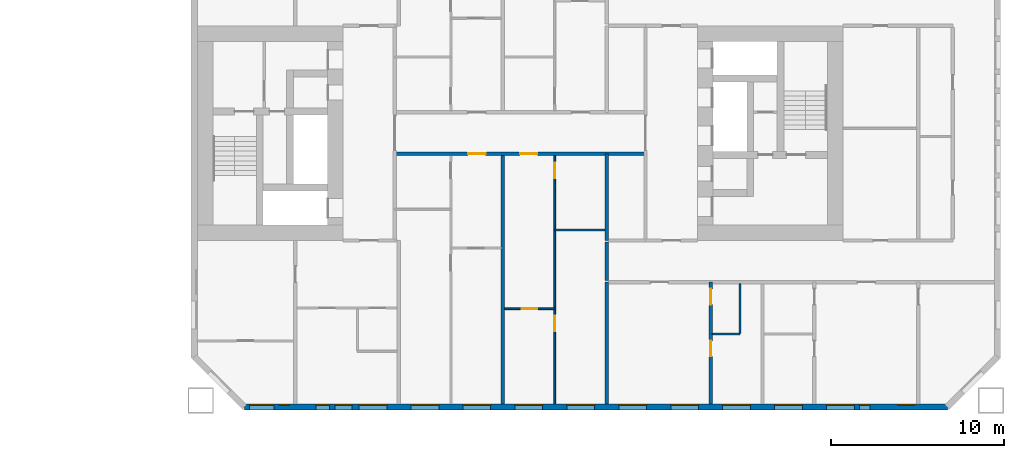
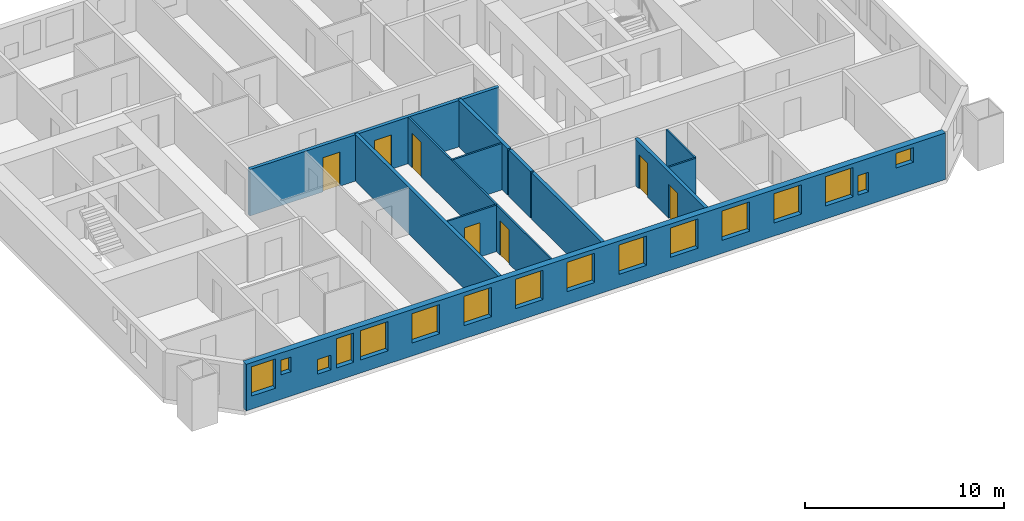
# One storey, part 11 of 17: 16 windows, 12 walls, 7 doors, 23 openings.
"""IFC4 building model written with IfcOpenShell, lengths in metres."""

from ifc_helpers import new_model, si_unit, direction, frame, frame_2d, origin, place, context, subcontext, project, spatial, rectangle, extrude, material, layer, layer_set, type_object, element, fill, save


model = new_model("IFC4")

# Units and contexts
model_context = context("Model", 3, precision=1e-05, world=origin(), true_north=direction((0.0, 1.0)))
body_context = subcontext(model_context, "Body", "Model", "MODEL_VIEW")
ifc_project = project(units=[si_unit("LENGTHUNIT", "METRE"), si_unit("AREAUNIT", "SQUARE_METRE"), si_unit("VOLUMEUNIT", "CUBIC_METRE"), si_unit("PLANEANGLEUNIT", "RADIAN"), si_unit("MASSUNIT", "GRAM", prefix="KILO")], contexts=[model_context])

# Site, building, storey
site_placement = place(None, origin())
site = spatial("IfcSite", under=ifc_project, at=site_placement, CompositionType="ELEMENT")
building_placement = place(site_placement, origin())
building = spatial("IfcBuilding", under=site, at=building_placement, Name="Tuart Gate Housing", CompositionType="ELEMENT")
storey_placement = place(building_placement, frame((0.0, 0.0, 22.60009765625)))
storey = spatial("IfcBuildingStorey", under=building, at=storey_placement, Name="L05", CompositionType="ELEMENT", Elevation=22.60009765625)

# Wall, openings, windows
ifc_material_1 = material(Name="Brick", Category="masonry")
ifc_layer_1 = layer(ifc_material_1, 0.360107421875)
ifc_layer_set_1 = layer_set([ifc_layer_1], Name="Brick pier and spandrel wall 360")
wall_type_1 = type_object("IfcWallType", Name="Brick pier and spandrel wall 360", PredefinedType="STANDARD", material=ifc_layer_set_1)
wall_1_placement = place(storey_placement, frame((134.07470703125, 54.179931640625, 0.0), z_axis=(0.0, 0.0, 1.0), x_axis=(1.0, 0.0, 0.0)))
wall_1 = element("IfcWall", 1, at=wall_1_placement, inside=storey, type_object=wall_type_1, Name="External wall B-S L05", PredefinedType="STANDARD", context=body_context, shape_type="SweptSolid", body=[
    extrude(rectangle(XDim=40.600830078125, YDim=0.360107421875, at=frame_2d((20.30029296875, 0.0))), origin(), (0.0, 0.0, 1.0), 2.849853515625),
])
opening_1_placement = place(wall_1_placement, frame((0.300048828125, 0.0, 0.800048828125)))
opening_1 = element("IfcOpeningElement", 2, at=opening_1_placement, cuts=wall_1, Name="Opening W1A", PredefinedType="OPENING", context=body_context, shape_type="SweptSolid", body=[
    extrude(rectangle(XDim=1.39990234375, YDim=1.800048828125, at=frame_2d((0.699951171875, 0.89990234375))), frame((0.0, 0.18994140625, 0.0), z_axis=(0.0, -1.0, 0.0), x_axis=(1.0, 0.0, 0.0)), (0.0, 0.0, 1.0), 0.380126953125),
])
opening_2_placement = place(wall_1_placement, frame((4.12548828125, 0.0, 0.800048828125)))
opening_2 = element("IfcOpeningElement", 3, at=opening_2_placement, cuts=wall_1, Name="Opening W1V", PredefinedType="OPENING", context=body_context, shape_type="SweptSolid", body=[
    extrude(rectangle(XDim=0.800048828125, YDim=0.89990234375, at=frame_2d((0.39990234375, 0.449951171875))), frame((0.0, 0.18994140625, 0.0), z_axis=(0.0, -1.0, 0.0), x_axis=(1.0, 0.0, 0.0)), (0.0, 0.0, 1.0), 0.380126953125),
])
opening_3_placement = place(wall_1_placement, frame((6.62548828125, 0.0, 0.800048828125)))
opening_3 = element("IfcOpeningElement", 4, at=opening_3_placement, cuts=wall_1, Name="Opening W1", PredefinedType="OPENING", context=body_context, shape_type="SweptSolid", body=[
    extrude(rectangle(XDim=1.60009765625, YDim=1.800048828125, at=frame_2d((0.800048828125, 0.89990234375))), frame((0.0, 0.18994140625, 0.0), z_axis=(0.0, -1.0, 0.0), x_axis=(1.0, 0.0, 0.0)), (0.0, 0.0, 1.0), 0.380126953125),
])
opening_4_placement = place(wall_1_placement, frame((9.62548828125, 0.0, 0.800048828125)))
opening_4 = element("IfcOpeningElement", 5, at=opening_4_placement, cuts=wall_1, Name="Opening W1", PredefinedType="OPENING", context=body_context, shape_type="SweptSolid", body=[
    extrude(rectangle(XDim=1.60009765625, YDim=1.800048828125, at=frame_2d((0.800048828125, 0.89990234375))), frame((0.0, 0.18994140625, 0.0), z_axis=(0.0, -1.0, 0.0), x_axis=(1.0, 0.0, 0.0)), (0.0, 0.0, 1.0), 0.380126953125),
])
opening_5_placement = place(wall_1_placement, frame((12.62548828125, 0.0, 0.800048828125)))
opening_5 = element("IfcOpeningElement", 6, at=opening_5_placement, cuts=wall_1, Name="Opening W1", PredefinedType="OPENING", context=body_context, shape_type="SweptSolid", body=[
    extrude(rectangle(XDim=1.60009765625, YDim=1.800048828125, at=frame_2d((0.800048828125, 0.89990234375))), frame((0.0, 0.18994140625, 0.0), z_axis=(0.0, -1.0, 0.0), x_axis=(1.0, 0.0, 0.0)), (0.0, 0.0, 1.0), 0.380126953125),
])
opening_6_placement = place(wall_1_placement, frame((15.62548828125, 0.0, 0.800048828125)))
opening_6 = element("IfcOpeningElement", 7, at=opening_6_placement, cuts=wall_1, Name="Opening W1", PredefinedType="OPENING", context=body_context, shape_type="SweptSolid", body=[
    extrude(rectangle(XDim=1.60009765625, YDim=1.800048828125, at=frame_2d((0.800048828125, 0.89990234375))), frame((0.0, 0.18994140625, 0.0), z_axis=(0.0, -1.0, 0.0), x_axis=(1.0, 0.0, 0.0)), (0.0, 0.0, 1.0), 0.380126953125),
])
opening_7_placement = place(wall_1_placement, frame((18.62548828125, 0.0, 0.800048828125)))
opening_7 = element("IfcOpeningElement", 8, at=opening_7_placement, cuts=wall_1, Name="Opening W1", PredefinedType="OPENING", context=body_context, shape_type="SweptSolid", body=[
    extrude(rectangle(XDim=1.60009765625, YDim=1.800048828125, at=frame_2d((0.800048828125, 0.89990234375))), frame((0.0, 0.18994140625, 0.0), z_axis=(0.0, -1.0, 0.0), x_axis=(1.0, 0.0, 0.0)), (0.0, 0.0, 1.0), 0.380126953125),
])
opening_8_placement = place(wall_1_placement, frame((21.62548828125, 0.0, 0.800048828125)))
opening_8 = element("IfcOpeningElement", 9, at=opening_8_placement, cuts=wall_1, Name="Opening W1", PredefinedType="OPENING", context=body_context, shape_type="SweptSolid", body=[
    extrude(rectangle(XDim=1.60009765625, YDim=1.800048828125, at=frame_2d((0.800048828125, 0.89990234375))), frame((0.0, 0.18994140625, 0.0), z_axis=(0.0, -1.0, 0.0), x_axis=(1.0, 0.0, 0.0)), (0.0, 0.0, 1.0), 0.380126953125),
])
opening_9_placement = place(wall_1_placement, frame((24.62548828125, 0.0, 0.800048828125)))
opening_9 = element("IfcOpeningElement", 10, at=opening_9_placement, cuts=wall_1, Name="Opening W1", PredefinedType="OPENING", context=body_context, shape_type="SweptSolid", body=[
    extrude(rectangle(XDim=1.60009765625, YDim=1.800048828125, at=frame_2d((0.800048828125, 0.89990234375))), frame((0.0, 0.18994140625, 0.0), z_axis=(0.0, -1.0, 0.0), x_axis=(1.0, 0.0, 0.0)), (0.0, 0.0, 1.0), 0.380126953125),
])
opening_10_placement = place(wall_1_placement, frame((27.62548828125, 0.0, 0.800048828125)))
opening_10 = element("IfcOpeningElement", 11, at=opening_10_placement, cuts=wall_1, Name="Opening W1", PredefinedType="OPENING", context=body_context, shape_type="SweptSolid", body=[
    extrude(rectangle(XDim=1.60009765625, YDim=1.800048828125, at=frame_2d((0.800048828125, 0.89990234375))), frame((0.0, 0.18994140625, 0.0), z_axis=(0.0, -1.0, 0.0), x_axis=(1.0, 0.0, 0.0)), (0.0, 0.0, 1.0), 0.380126953125),
])
opening_11_placement = place(wall_1_placement, frame((30.62548828125, 0.0, 0.800048828125)))
opening_11 = element("IfcOpeningElement", 12, at=opening_11_placement, cuts=wall_1, Name="Opening W1", PredefinedType="OPENING", context=body_context, shape_type="SweptSolid", body=[
    extrude(rectangle(XDim=1.60009765625, YDim=1.800048828125, at=frame_2d((0.800048828125, 0.89990234375))), frame((0.0, 0.18994140625, 0.0), z_axis=(0.0, -1.0, 0.0), x_axis=(1.0, 0.0, 0.0)), (0.0, 0.0, 1.0), 0.380126953125),
])
opening_12_placement = place(wall_1_placement, frame((33.62548828125, 0.0, 0.800048828125)))
opening_12 = element("IfcOpeningElement", 13, at=opening_12_placement, cuts=wall_1, Name="Opening W1", PredefinedType="OPENING", context=body_context, shape_type="SweptSolid", body=[
    extrude(rectangle(XDim=1.60009765625, YDim=1.800048828125, at=frame_2d((0.800048828125, 0.89990234375))), frame((0.0, 0.18994140625, 0.0), z_axis=(0.0, -1.0, 0.0), x_axis=(1.0, 0.0, 0.0)), (0.0, 0.0, 1.0), 0.380126953125),
])
opening_13_placement = place(wall_1_placement, frame((35.525390625, 0.0, 0.800048828125)))
opening_13 = element("IfcOpeningElement", 14, at=opening_13_placement, cuts=wall_1, Name="Opening W1Q", PredefinedType="OPENING", context=body_context, shape_type="SweptSolid", body=[
    extrude(rectangle(XDim=0.60009765625, YDim=1.199951171875, at=frame_2d((0.300048828125, 0.60009765625))), frame((0.0, 0.18994140625, 0.0), z_axis=(0.0, -1.0, 0.0), x_axis=(1.0, 0.0, 0.0)), (0.0, 0.0, 1.0), 0.380126953125),
])
opening_14_placement = place(wall_1_placement, frame((2.0, 0.0, 1.5)))
opening_14 = element("IfcOpeningElement", 15, at=opening_14_placement, cuts=wall_1, Name="Opening W1W", PredefinedType="OPENING", context=body_context, shape_type="SweptSolid", body=[
    extrude(rectangle(XDim=0.60009765625, YDim=0.89990234375, at=frame_2d((0.300048828125, 0.449951171875))), frame((0.0, 0.18994140625, 0.0), z_axis=(0.0, -1.0, 0.0), x_axis=(1.0, 0.0, 0.0)), (0.0, 0.0, 1.0), 0.380126953125),
])
opening_15_placement = place(wall_1_placement, frame((5.225341796875, 0.0, 0.800048828125)))
opening_15 = element("IfcOpeningElement", 16, at=opening_15_placement, cuts=wall_1, Name="Opening W1C", PredefinedType="OPENING", context=body_context, shape_type="SweptSolid", body=[
    extrude(rectangle(XDim=1.0, YDim=1.800048828125, at=frame_2d((0.5, 0.89990234375))), frame((0.0, 0.18994140625, 0.0), z_axis=(0.0, -1.0, 0.0), x_axis=(1.0, 0.0, 0.0)), (0.0, 0.0, 1.0), 0.380126953125),
])
opening_16_placement = place(wall_1_placement, frame((37.725341796875, 0.0, 1.699951171875)))
opening_16 = element("IfcOpeningElement", 17, at=opening_16_placement, cuts=wall_1, Name="Opening W1U", PredefinedType="OPENING", context=body_context, shape_type="SweptSolid", body=[
    extrude(rectangle(XDim=1.0, YDim=0.89990234375, at=frame_2d((0.5, 0.449951171875))), frame((0.0, 0.18994140625, 0.0), z_axis=(0.0, -1.0, 0.0), x_axis=(1.0, 0.0, 0.0)), (0.0, 0.0, 1.0), 0.380126953125),
])
ifc_material_2 = material(Name="Aluminium frame with clear glass", Category="aluminium")
window_type_1 = type_object("IfcWindowType", Name="Punched window 1000 x 1800", PartitioningType="SINGLE_PANEL", PredefinedType="WINDOW", material=ifc_material_2)
window_1_placement = place(opening_15_placement, origin())
window_1 = element("IfcWindow", 18, at=window_1_placement, inside=storey, type_object=window_type_1, Name="Window W1C", OverallHeight=1.800048828125, OverallWidth=1.0, PartitioningType="SINGLE_PANEL", PredefinedType="WINDOW", context=body_context, shape_type="SweptSolid", body=[
    extrude(rectangle(XDim=1.0, YDim=1.800048828125, at=frame_2d((0.5, 0.89990234375))), frame((0.0, 0.150146484375, 0.0), z_axis=(0.0, -1.0, 0.0), x_axis=(1.0, 0.0, 0.0)), (0.0, 0.0, 1.0), 0.06005859375),
])
fill(opening_15, window_1)
ifc_material_3 = material(Name="Aluminium frame with clear glass", Category="aluminium")
window_type_2 = type_object("IfcWindowType", Name="Punched window 1000 x 900", PartitioningType="SINGLE_PANEL", PredefinedType="WINDOW", material=ifc_material_3)
window_2_placement = place(opening_16_placement, origin())
window_2 = element("IfcWindow", 19, at=window_2_placement, inside=storey, type_object=window_type_2, Name="Window W1U", OverallHeight=0.89990234375, OverallWidth=1.0, PartitioningType="SINGLE_PANEL", PredefinedType="WINDOW", context=body_context, shape_type="SweptSolid", body=[
    extrude(rectangle(XDim=1.0, YDim=0.89990234375, at=frame_2d((0.5, 0.449951171875))), frame((0.0, 0.150146484375, 0.0), z_axis=(0.0, -1.0, 0.0), x_axis=(1.0, 0.0, 0.0)), (0.0, 0.0, 1.0), 0.06005859375),
])
fill(opening_16, window_2)
ifc_material_4 = material(Name="Aluminium frame with clear glass", Category="aluminium")
window_type_3 = type_object("IfcWindowType", Name="Punched window 1400 x 1800", PartitioningType="SINGLE_PANEL", PredefinedType="WINDOW", material=ifc_material_4)
window_3_placement = place(opening_1_placement, origin())
window_3 = element("IfcWindow", 20, at=window_3_placement, inside=storey, type_object=window_type_3, Name="Window W1A", OverallHeight=1.800048828125, OverallWidth=1.39990234375, PartitioningType="SINGLE_PANEL", PredefinedType="WINDOW", context=body_context, shape_type="SweptSolid", body=[
    extrude(rectangle(XDim=1.39990234375, YDim=1.800048828125, at=frame_2d((0.699951171875, 0.89990234375))), frame((0.0, 0.150146484375, 0.0), z_axis=(0.0, -1.0, 0.0), x_axis=(1.0, 0.0, 0.0)), (0.0, 0.0, 1.0), 0.06005859375),
])
fill(opening_1, window_3)
ifc_material_5 = material(Name="Aluminium frame with clear glass", Category="aluminium")
window_type_4 = type_object("IfcWindowType", Name="Punched window 1600 x 1800", PartitioningType="SINGLE_PANEL", PredefinedType="WINDOW", material=ifc_material_5)
window_4_placement = place(opening_3_placement, origin())
window_4 = element("IfcWindow", 21, at=window_4_placement, inside=storey, type_object=window_type_4, Name="Window W1", OverallHeight=1.800048828125, OverallWidth=1.60009765625, PartitioningType="SINGLE_PANEL", PredefinedType="WINDOW", context=body_context, shape_type="SweptSolid", body=[
    extrude(rectangle(XDim=1.60009765625, YDim=1.800048828125, at=frame_2d((0.800048828125, 0.89990234375))), frame((0.0, 0.150146484375, 0.0), z_axis=(0.0, -1.0, 0.0), x_axis=(1.0, 0.0, 0.0)), (0.0, 0.0, 1.0), 0.06005859375),
])
fill(opening_3, window_4)
window_5_placement = place(opening_4_placement, origin())
window_5 = element("IfcWindow", 22, at=window_5_placement, inside=storey, type_object=window_type_4, Name="Window W1", OverallHeight=1.800048828125, OverallWidth=1.60009765625, PartitioningType="SINGLE_PANEL", PredefinedType="WINDOW", context=body_context, shape_type="SweptSolid", body=[
    extrude(rectangle(XDim=1.60009765625, YDim=1.800048828125, at=frame_2d((0.800048828125, 0.89990234375))), frame((0.0, 0.150146484375, 0.0), z_axis=(0.0, -1.0, 0.0), x_axis=(1.0, 0.0, 0.0)), (0.0, 0.0, 1.0), 0.06005859375),
])
fill(opening_4, window_5)
window_6_placement = place(opening_5_placement, origin())
window_6 = element("IfcWindow", 23, at=window_6_placement, inside=storey, type_object=window_type_4, Name="Window W1", OverallHeight=1.800048828125, OverallWidth=1.60009765625, PartitioningType="SINGLE_PANEL", PredefinedType="WINDOW", context=body_context, shape_type="SweptSolid", body=[
    extrude(rectangle(XDim=1.60009765625, YDim=1.800048828125, at=frame_2d((0.800048828125, 0.89990234375))), frame((0.0, 0.150146484375, 0.0), z_axis=(0.0, -1.0, 0.0), x_axis=(1.0, 0.0, 0.0)), (0.0, 0.0, 1.0), 0.06005859375),
])
fill(opening_5, window_6)
window_7_placement = place(opening_6_placement, origin())
window_7 = element("IfcWindow", 24, at=window_7_placement, inside=storey, type_object=window_type_4, Name="Window W1", OverallHeight=1.800048828125, OverallWidth=1.60009765625, PartitioningType="SINGLE_PANEL", PredefinedType="WINDOW", context=body_context, shape_type="SweptSolid", body=[
    extrude(rectangle(XDim=1.60009765625, YDim=1.800048828125, at=frame_2d((0.800048828125, 0.89990234375))), frame((0.0, 0.150146484375, 0.0), z_axis=(0.0, -1.0, 0.0), x_axis=(1.0, 0.0, 0.0)), (0.0, 0.0, 1.0), 0.06005859375),
])
fill(opening_6, window_7)
window_8_placement = place(opening_7_placement, origin())
window_8 = element("IfcWindow", 25, at=window_8_placement, inside=storey, type_object=window_type_4, Name="Window W1", OverallHeight=1.800048828125, OverallWidth=1.60009765625, PartitioningType="SINGLE_PANEL", PredefinedType="WINDOW", context=body_context, shape_type="SweptSolid", body=[
    extrude(rectangle(XDim=1.60009765625, YDim=1.800048828125, at=frame_2d((0.800048828125, 0.89990234375))), frame((0.0, 0.150146484375, 0.0), z_axis=(0.0, -1.0, 0.0), x_axis=(1.0, 0.0, 0.0)), (0.0, 0.0, 1.0), 0.06005859375),
])
fill(opening_7, window_8)
window_9_placement = place(opening_8_placement, origin())
window_9 = element("IfcWindow", 26, at=window_9_placement, inside=storey, type_object=window_type_4, Name="Window W1", OverallHeight=1.800048828125, OverallWidth=1.60009765625, PartitioningType="SINGLE_PANEL", PredefinedType="WINDOW", context=body_context, shape_type="SweptSolid", body=[
    extrude(rectangle(XDim=1.60009765625, YDim=1.800048828125, at=frame_2d((0.800048828125, 0.89990234375))), frame((0.0, 0.150146484375, 0.0), z_axis=(0.0, -1.0, 0.0), x_axis=(1.0, 0.0, 0.0)), (0.0, 0.0, 1.0), 0.06005859375),
])
fill(opening_8, window_9)
window_10_placement = place(opening_9_placement, origin())
window_10 = element("IfcWindow", 27, at=window_10_placement, inside=storey, type_object=window_type_4, Name="Window W1", OverallHeight=1.800048828125, OverallWidth=1.60009765625, PartitioningType="SINGLE_PANEL", PredefinedType="WINDOW", context=body_context, shape_type="SweptSolid", body=[
    extrude(rectangle(XDim=1.60009765625, YDim=1.800048828125, at=frame_2d((0.800048828125, 0.89990234375))), frame((0.0, 0.150146484375, 0.0), z_axis=(0.0, -1.0, 0.0), x_axis=(1.0, 0.0, 0.0)), (0.0, 0.0, 1.0), 0.06005859375),
])
fill(opening_9, window_10)
window_11_placement = place(opening_10_placement, origin())
window_11 = element("IfcWindow", 28, at=window_11_placement, inside=storey, type_object=window_type_4, Name="Window W1", OverallHeight=1.800048828125, OverallWidth=1.60009765625, PartitioningType="SINGLE_PANEL", PredefinedType="WINDOW", context=body_context, shape_type="SweptSolid", body=[
    extrude(rectangle(XDim=1.60009765625, YDim=1.800048828125, at=frame_2d((0.800048828125, 0.89990234375))), frame((0.0, 0.150146484375, 0.0), z_axis=(0.0, -1.0, 0.0), x_axis=(1.0, 0.0, 0.0)), (0.0, 0.0, 1.0), 0.06005859375),
])
fill(opening_10, window_11)
window_12_placement = place(opening_11_placement, origin())
window_12 = element("IfcWindow", 29, at=window_12_placement, inside=storey, type_object=window_type_4, Name="Window W1", OverallHeight=1.800048828125, OverallWidth=1.60009765625, PartitioningType="SINGLE_PANEL", PredefinedType="WINDOW", context=body_context, shape_type="SweptSolid", body=[
    extrude(rectangle(XDim=1.60009765625, YDim=1.800048828125, at=frame_2d((0.800048828125, 0.89990234375))), frame((0.0, 0.150146484375, 0.0), z_axis=(0.0, -1.0, 0.0), x_axis=(1.0, 0.0, 0.0)), (0.0, 0.0, 1.0), 0.06005859375),
])
fill(opening_11, window_12)
window_13_placement = place(opening_12_placement, origin())
window_13 = element("IfcWindow", 30, at=window_13_placement, inside=storey, type_object=window_type_4, Name="Window W1", OverallHeight=1.800048828125, OverallWidth=1.60009765625, PartitioningType="SINGLE_PANEL", PredefinedType="WINDOW", context=body_context, shape_type="SweptSolid", body=[
    extrude(rectangle(XDim=1.60009765625, YDim=1.800048828125, at=frame_2d((0.800048828125, 0.89990234375))), frame((0.0, 0.150146484375, 0.0), z_axis=(0.0, -1.0, 0.0), x_axis=(1.0, 0.0, 0.0)), (0.0, 0.0, 1.0), 0.06005859375),
])
fill(opening_12, window_13)
ifc_material_6 = material(Name="Aluminium frame with clear glass", Category="aluminium")
window_type_5 = type_object("IfcWindowType", Name="Punched window 600 x 1200", PartitioningType="SINGLE_PANEL", PredefinedType="WINDOW", material=ifc_material_6)
window_14_placement = place(opening_13_placement, origin())
window_14 = element("IfcWindow", 31, at=window_14_placement, inside=storey, type_object=window_type_5, Name="Window W1Q", OverallHeight=1.199951171875, OverallWidth=0.60009765625, PartitioningType="SINGLE_PANEL", PredefinedType="WINDOW", context=body_context, shape_type="SweptSolid", body=[
    extrude(rectangle(XDim=0.60009765625, YDim=1.199951171875, at=frame_2d((0.300048828125, 0.60009765625))), frame((0.0, 0.150146484375, 0.0), z_axis=(0.0, -1.0, 0.0), x_axis=(1.0, 0.0, 0.0)), (0.0, 0.0, 1.0), 0.06005859375),
])
fill(opening_13, window_14)
ifc_material_7 = material(Name="Aluminium frame with clear glass", Category="aluminium")
window_type_6 = type_object("IfcWindowType", Name="Punched window 600 x 900", PartitioningType="SINGLE_PANEL", PredefinedType="WINDOW", material=ifc_material_7)
window_15_placement = place(opening_14_placement, origin())
window_15 = element("IfcWindow", 32, at=window_15_placement, inside=storey, type_object=window_type_6, Name="Window W1W", OverallHeight=0.89990234375, OverallWidth=0.60009765625, PartitioningType="SINGLE_PANEL", PredefinedType="WINDOW", context=body_context, shape_type="SweptSolid", body=[
    extrude(rectangle(XDim=0.60009765625, YDim=0.89990234375, at=frame_2d((0.300048828125, 0.449951171875))), frame((0.0, 0.150146484375, 0.0), z_axis=(0.0, -1.0, 0.0), x_axis=(1.0, 0.0, 0.0)), (0.0, 0.0, 1.0), 0.06005859375),
])
fill(opening_14, window_15)
ifc_material_8 = material(Name="Aluminium frame with clear glass", Category="aluminium")
window_type_7 = type_object("IfcWindowType", Name="Punched window 800 x 900", PartitioningType="SINGLE_PANEL", PredefinedType="WINDOW", material=ifc_material_8)
window_16_placement = place(opening_2_placement, origin())
window_16 = element("IfcWindow", 33, at=window_16_placement, inside=storey, type_object=window_type_7, Name="Window W1V", OverallHeight=0.89990234375, OverallWidth=0.800048828125, PartitioningType="SINGLE_PANEL", PredefinedType="WINDOW", context=body_context, shape_type="SweptSolid", body=[
    extrude(rectangle(XDim=0.800048828125, YDim=0.89990234375, at=frame_2d((0.39990234375, 0.449951171875))), frame((0.0, 0.150146484375, 0.0), z_axis=(0.0, -1.0, 0.0), x_axis=(1.0, 0.0, 0.0)), (0.0, 0.0, 1.0), 0.06005859375),
])
fill(opening_2, window_16)

# Wall, openings, doors
ifc_material_9 = material(Name="Concrete masonry 15 MPa", Category="masonry")
ifc_layer_2 = layer(ifc_material_9, 0.199951171875)
ifc_layer_set_2 = layer_set([ifc_layer_2], Name="Corridor wall masonry 200")
wall_type_2 = type_object("IfcWallType", Name="Corridor wall masonry 200", PredefinedType="PARTITIONING", material=ifc_layer_set_2)
wall_2_placement = place(storey_placement, frame((142.760009765625, 68.800048828125, 0.0), z_axis=(0.0, 0.0, 1.0), x_axis=(1.0, 0.0, 0.0)))
wall_2 = element("IfcWall", 34, at=wall_2_placement, inside=storey, type_object=wall_type_2, Name="Corridor wall masonry 200", PredefinedType="PARTITIONING", context=body_context, shape_type="SweptSolid", body=[
    extrude(rectangle(XDim=14.47998046875, YDim=0.199951171875, at=frame_2d((7.239990234375, 0.0))), origin(), (0.0, 0.0, 1.0), 2.849853515625),
])
opening_17_placement = place(wall_2_placement, frame((4.239990234375, 0.0, 0.0)))
opening_17 = element("IfcOpeningElement", 35, at=opening_17_placement, cuts=wall_2, Name="Opening D443", PredefinedType="OPENING", context=body_context, shape_type="SweptSolid", body=[
    extrude(rectangle(XDim=1.0, YDim=2.10009765625, at=frame_2d((0.5, 1.050048828125))), frame((0.0, 0.10986328125, 0.0), z_axis=(0.0, -1.0, 0.0), x_axis=(1.0, 0.0, 0.0)), (0.0, 0.0, 1.0), 0.219970703125),
])
opening_18_placement = place(wall_2_placement, frame((7.239990234375, 0.0, 0.0)))
opening_18 = element("IfcOpeningElement", 36, at=opening_18_placement, cuts=wall_2, Name="Opening D444", PredefinedType="OPENING", context=body_context, shape_type="SweptSolid", body=[
    extrude(rectangle(XDim=1.0, YDim=2.10009765625, at=frame_2d((0.5, 1.050048828125))), frame((0.0, 0.10986328125, 0.0), z_axis=(0.0, -1.0, 0.0), x_axis=(1.0, 0.0, 0.0)), (0.0, 0.0, 1.0), 0.219970703125),
])
ifc_material_10 = material(Name="Timber door leaf in steel frame", Category="steel")
door_type_1 = type_object("IfcDoorType", Name="Flat entrance door 1000 RH", OperationType="SINGLE_SWING_RIGHT", PredefinedType="DOOR", material=ifc_material_10)
door_1_placement = place(opening_17_placement, frame((1.0, 0.0, 0.0), z_axis=(0.0, 0.0, 1.0), x_axis=(-1.0, 0.0, 0.0)))
door_1 = element("IfcDoor", 37, at=door_1_placement, inside=storey, type_object=door_type_1, Name="Flat entrance door", OperationType="SINGLE_SWING_RIGHT", OverallHeight=2.10009765625, OverallWidth=1.0, PredefinedType="DOOR", context=body_context, shape_type="SweptSolid", body=[
    extrude(rectangle(XDim=1.0, YDim=2.10009765625, at=frame_2d((0.5, 1.050048828125))), frame((0.0, 0.025146484375, 0.0), z_axis=(0.0, -1.0, 0.0), x_axis=(1.0, 0.0, 0.0)), (0.0, 0.0, 1.0), 0.050048828125),
])
fill(opening_17, door_1)
door_2_placement = place(opening_18_placement, frame((1.0, 0.0, 0.0), z_axis=(0.0, 0.0, 1.0), x_axis=(-1.0, 0.0, 0.0)))
door_2 = element("IfcDoor", 38, at=door_2_placement, inside=storey, type_object=door_type_1, Name="Flat entrance door", OperationType="SINGLE_SWING_RIGHT", OverallHeight=2.10009765625, OverallWidth=1.0, PredefinedType="DOOR", context=body_context, shape_type="SweptSolid", body=[
    extrude(rectangle(XDim=1.0, YDim=2.10009765625, at=frame_2d((0.5, 1.050048828125))), frame((0.0, 0.025146484375, 0.0), z_axis=(0.0, -1.0, 0.0), x_axis=(1.0, 0.0, 0.0)), (0.0, 0.0, 1.0), 0.050048828125),
])
fill(opening_18, door_2)

# Walls
wall_3_placement = place(storey_placement, frame((155.0, 61.5, 0.0), z_axis=(0.0, 0.0, 1.0), x_axis=(0.0, 1.0, 0.0)))
element("IfcWall", 39, at=wall_3_placement, inside=storey, type_object=wall_type_2, Name="Corridor wall masonry 200", PredefinedType="PARTITIONING", context=body_context, shape_type="SweptSolid", body=[
    extrude(rectangle(XDim=2.199951171875, YDim=0.199951171875, at=frame_2d((1.10009765625, 0.0))), origin(), (0.0, 0.0, 1.0), 2.849853515625),
])
ifc_material_11 = material(Name="Gypsum board on steel studs", Category="steel")
ifc_layer_3 = layer(ifc_material_11, 0.10009765625)
ifc_layer_set_3 = layer_set([ifc_layer_3], Name="Partition 100")
wall_type_3 = type_object("IfcWallType", Name="Partition 100", PredefinedType="PARTITIONING", material=ifc_layer_set_3)
wall_4_placement = place(storey_placement, frame((161.10009765625, 58.39990234375, 0.0), z_axis=(0.0, 0.0, 1.0), x_axis=(1.0, 0.0, 0.0)))
element("IfcWall", 40, at=wall_4_placement, inside=storey, type_object=wall_type_3, Name="Partition 100", PredefinedType="PARTITIONING", context=body_context, shape_type="SweptSolid", body=[
    extrude(rectangle(XDim=1.599853515625, YDim=0.10009765625, at=frame_2d((0.7998046875, 0.0))), origin(), (0.0, 0.0, 1.0), 2.849853515625),
])

# Wall, opening, door
wall_5_placement = place(storey_placement, frame((149.10009765625, 59.860107421875, 0.0), z_axis=(0.0, 0.0, 1.0), x_axis=(1.0, 0.0, 0.0)))
wall_5 = element("IfcWall", 41, at=wall_5_placement, inside=storey, type_object=wall_type_3, Name="Partition 100", PredefinedType="PARTITIONING", context=body_context, shape_type="SweptSolid", body=[
    extrude(rectangle(XDim=2.89990234375, YDim=0.10009765625, at=frame_2d((1.449951171875, 0.0))), origin(), (0.0, 0.0, 1.0), 2.849853515625),
])
opening_19_placement = place(wall_5_placement, frame((1.0, 0.0, 0.0)))
opening_19 = element("IfcOpeningElement", 42, at=opening_19_placement, cuts=wall_5, Name="Opening D459", PredefinedType="OPENING", context=body_context, shape_type="SweptSolid", body=[
    extrude(rectangle(XDim=0.89990234375, YDim=2.10009765625, at=frame_2d((0.449951171875, 1.050048828125))), frame((0.0, 0.06005859375, 0.0), z_axis=(0.0, -1.0, 0.0), x_axis=(1.0, 0.0, 0.0)), (0.0, 0.0, 1.0), 0.1201171875),
])
ifc_material_12 = material(Name="Timber door leaf in steel frame", Category="steel")
door_type_2 = type_object("IfcDoorType", Name="Internal door 900 RH", OperationType="SINGLE_SWING_RIGHT", PredefinedType="DOOR", material=ifc_material_12)
door_3_placement = place(opening_19_placement, origin())
door_3 = element("IfcDoor", 43, at=door_3_placement, inside=storey, type_object=door_type_2, Name="Internal door", OperationType="SINGLE_SWING_RIGHT", OverallHeight=2.10009765625, OverallWidth=0.89990234375, PredefinedType="DOOR", context=body_context, shape_type="SweptSolid", body=[
    extrude(rectangle(XDim=0.89990234375, YDim=2.10009765625, at=frame_2d((0.449951171875, 1.050048828125))), frame((0.0, 0.02490234375, 0.0), z_axis=(0.0, -1.0, 0.0), x_axis=(1.0, 0.0, 0.0)), (0.0, 0.0, 1.0), 0.050048828125),
])
fill(opening_19, door_3)

# Wall
wall_6_placement = place(storey_placement, frame((152.0, 64.39990234375, 0.0), z_axis=(0.0, 0.0, 1.0), x_axis=(1.0, 0.0, 0.0)))
element("IfcWall", 44, at=wall_6_placement, inside=storey, type_object=wall_type_3, Name="Partition 100", PredefinedType="PARTITIONING", context=body_context, shape_type="SweptSolid", body=[
    extrude(rectangle(XDim=2.89990234375, YDim=0.10009765625, at=frame_2d((1.449951171875, 0.0))), origin(), (0.0, 0.0, 1.0), 2.849853515625),
])

# Wall, openings, doors
wall_7_placement = place(storey_placement, frame((152.0, 54.360107421875, 0.0), z_axis=(0.0, 0.0, 1.0), x_axis=(0.0, 1.0, 0.0)))
wall_7 = element("IfcWall", 45, at=wall_7_placement, inside=storey, type_object=wall_type_3, Name="Partition 100", PredefinedType="PARTITIONING", context=body_context, shape_type="SweptSolid", body=[
    extrude(rectangle(XDim=14.33984375, YDim=0.10009765625, at=frame_2d((7.169921875, 0.0))), origin(), (0.0, 0.0, 1.0), 2.849853515625),
])
opening_20_placement = place(wall_7_placement, frame((4.199951171875, 0.0, 0.0)))
opening_20 = element("IfcOpeningElement", 46, at=opening_20_placement, cuts=wall_7, Name="Opening D454", PredefinedType="OPENING", context=body_context, shape_type="SweptSolid", body=[
    extrude(rectangle(XDim=0.89990234375, YDim=2.10009765625, at=frame_2d((0.449951171875, 1.050048828125))), frame((0.0, 0.06005859375, 0.0), z_axis=(0.0, -1.0, 0.0), x_axis=(1.0, 0.0, 0.0)), (0.0, 0.0, 1.0), 0.1201171875),
])
opening_21_placement = place(wall_7_placement, frame((13.0400390625, 0.0, 0.0)))
opening_21 = element("IfcOpeningElement", 47, at=opening_21_placement, cuts=wall_7, Name="Opening D453", PredefinedType="OPENING", context=body_context, shape_type="SweptSolid", body=[
    extrude(rectangle(XDim=0.89990234375, YDim=2.10009765625, at=frame_2d((0.449951171875, 1.050048828125))), frame((0.0, 0.06005859375, 0.0), z_axis=(0.0, -1.0, 0.0), x_axis=(1.0, 0.0, 0.0)), (0.0, 0.0, 1.0), 0.1201171875),
])
ifc_material_13 = material(Name="Timber door leaf in steel frame", Category="steel")
door_type_3 = type_object("IfcDoorType", Name="Bathroom door 900", OperationType="SINGLE_SWING_LEFT", PredefinedType="DOOR", material=ifc_material_13)
door_4_placement = place(opening_21_placement, frame((0.89990234375, 0.0, 0.0), z_axis=(0.0, 0.0, 1.0), x_axis=(-1.0, 0.0, 0.0)))
door_4 = element("IfcDoor", 48, at=door_4_placement, inside=storey, type_object=door_type_3, Name="Bathroom door", OperationType="SINGLE_SWING_LEFT", OverallHeight=2.10009765625, OverallWidth=0.89990234375, PredefinedType="DOOR", context=body_context, shape_type="SweptSolid", body=[
    extrude(rectangle(XDim=0.89990234375, YDim=2.10009765625, at=frame_2d((0.449951171875, 1.050048828125))), frame((0.0, 0.025146484375, 0.0), z_axis=(0.0, -1.0, 0.0), x_axis=(1.0, 0.0, 0.0)), (0.0, 0.0, 1.0), 0.050048828125),
])
fill(opening_21, door_4)
door_5_placement = place(opening_20_placement, frame((0.89990234375, 0.0, 0.0), z_axis=(0.0, 0.0, 1.0), x_axis=(-1.0, 0.0, 0.0)))
door_5 = element("IfcDoor", 49, at=door_5_placement, inside=storey, type_object=door_type_2, Name="Internal door", OperationType="SINGLE_SWING_RIGHT", OverallHeight=2.10009765625, OverallWidth=0.89990234375, PredefinedType="DOOR", context=body_context, shape_type="SweptSolid", body=[
    extrude(rectangle(XDim=0.89990234375, YDim=2.10009765625, at=frame_2d((0.449951171875, 1.050048828125))), frame((0.0, 0.025146484375, 0.0), z_axis=(0.0, -1.0, 0.0), x_axis=(1.0, 0.0, 0.0)), (0.0, 0.0, 1.0), 0.050048828125),
])
fill(opening_20, door_5)

# Walls
wall_8_placement = place(storey_placement, frame((162.699951171875, 58.449951171875, 0.0), z_axis=(0.0, 0.0, 1.0), x_axis=(0.0, 1.0, 0.0)))
element("IfcWall", 50, at=wall_8_placement, inside=storey, type_object=wall_type_3, Name="Partition 100", PredefinedType="PARTITIONING", context=body_context, shape_type="SweptSolid", body=[
    extrude(rectangle(XDim=2.85009765625, YDim=0.10009765625, at=frame_2d((1.425048828125, 0.0))), origin(), (0.0, 0.0, 1.0), 2.849853515625),
])
ifc_material_14 = material(Name="Concrete C40", Category="concrete")
ifc_layer_4 = layer(ifc_material_14, 0.199951171875)
ifc_layer_set_4 = layer_set([ifc_layer_4], Name="Party wall concrete C40 200")
wall_type_4 = type_object("IfcWallType", Name="Party wall concrete C40 200", PredefinedType="SOLIDWALL", material=ifc_layer_set_4)
wall_9_placement = place(storey_placement, frame((149.0, 54.360107421875, 0.0), z_axis=(0.0, 0.0, 1.0), x_axis=(0.0, 1.0, 0.0)))
element("IfcWall", 51, at=wall_9_placement, inside=storey, type_object=wall_type_4, Name="Party wall concrete C40 200", PredefinedType="SOLIDWALL", context=body_context, shape_type="SweptSolid", body=[
    extrude(rectangle(XDim=14.43994140625, YDim=0.199951171875, at=frame_2d((7.219970703125, 0.0))), origin(), (0.0, 0.0, 1.0), 2.849853515625),
])
wall_10_placement = place(storey_placement, frame((155.0, 54.360107421875, 0.0), z_axis=(0.0, 0.0, 1.0), x_axis=(0.0, 1.0, 0.0)))
element("IfcWall", 52, at=wall_10_placement, inside=storey, type_object=wall_type_4, Name="Party wall concrete C40 200", PredefinedType="SOLIDWALL", context=body_context, shape_type="SweptSolid", body=[
    extrude(rectangle(XDim=7.039794921875, YDim=0.199951171875, at=frame_2d((3.52001953125, 0.0))), origin(), (0.0, 0.0, 1.0), 2.849853515625),
])
wall_11_placement = place(storey_placement, frame((155.0, 63.800048828125, 0.0), z_axis=(0.0, 0.0, 1.0), x_axis=(0.0, 1.0, 0.0)))
element("IfcWall", 53, at=wall_11_placement, inside=storey, type_object=wall_type_4, Name="Party wall concrete C40 200", PredefinedType="SOLIDWALL", context=body_context, shape_type="SweptSolid", body=[
    extrude(rectangle(XDim=5.0, YDim=0.199951171875, at=frame_2d((2.5, 0.0))), origin(), (0.0, 0.0, 1.0), 2.849853515625),
])

# Wall, openings, doors
wall_12_placement = place(storey_placement, frame((161.0, 54.360107421875, 0.0), z_axis=(0.0, 0.0, 1.0), x_axis=(0.0, 1.0, 0.0)))
wall_12 = element("IfcWall", 54, at=wall_12_placement, inside=storey, type_object=wall_type_4, Name="Party wall concrete C40 200", PredefinedType="SOLIDWALL", context=body_context, shape_type="SweptSolid", body=[
    extrude(rectangle(XDim=7.039794921875, YDim=0.199951171875, at=frame_2d((3.52001953125, 0.0))), origin(), (0.0, 0.0, 1.0), 2.849853515625),
])
opening_22_placement = place(wall_12_placement, frame((2.739990234375, 0.0, 0.0)))
opening_22 = element("IfcOpeningElement", 55, at=opening_22_placement, cuts=wall_12, Name="Opening D463", PredefinedType="OPENING", context=body_context, shape_type="SweptSolid", body=[
    extrude(rectangle(XDim=0.89990234375, YDim=2.10009765625, at=frame_2d((0.449951171875, 1.050048828125))), frame((0.0, 0.10986328125, 0.0), z_axis=(0.0, -1.0, 0.0), x_axis=(1.0, 0.0, 0.0)), (0.0, 0.0, 1.0), 0.219970703125),
])
opening_23_placement = place(wall_12_placement, frame((5.739990234375, 0.0, 0.0)))
opening_23 = element("IfcOpeningElement", 56, at=opening_23_placement, cuts=wall_12, Name="Opening D462", PredefinedType="OPENING", context=body_context, shape_type="SweptSolid", body=[
    extrude(rectangle(XDim=0.89990234375, YDim=2.10009765625, at=frame_2d((0.449951171875, 1.050048828125))), frame((0.0, 0.10986328125, 0.0), z_axis=(0.0, -1.0, 0.0), x_axis=(1.0, 0.0, 0.0)), (0.0, 0.0, 1.0), 0.219970703125),
])
door_6_placement = place(opening_23_placement, frame((0.89990234375, 0.0, 0.0), z_axis=(0.0, 0.0, 1.0), x_axis=(-1.0, 0.0, 0.0)))
door_6 = element("IfcDoor", 57, at=door_6_placement, inside=storey, type_object=door_type_3, Name="Bathroom door", OperationType="SINGLE_SWING_LEFT", OverallHeight=2.10009765625, OverallWidth=0.89990234375, PredefinedType="DOOR", context=body_context, shape_type="SweptSolid", body=[
    extrude(rectangle(XDim=0.89990234375, YDim=2.10009765625, at=frame_2d((0.449951171875, 1.050048828125))), frame((0.0, 0.025146484375, 0.0), z_axis=(0.0, -1.0, 0.0), x_axis=(1.0, 0.0, 0.0)), (0.0, 0.0, 1.0), 0.050048828125),
])
fill(opening_23, door_6)
ifc_material_15 = material(Name="Timber door leaf in steel frame", Category="steel")
door_type_4 = type_object("IfcDoorType", Name="Internal door 900", OperationType="SINGLE_SWING_LEFT", PredefinedType="DOOR", material=ifc_material_15)
door_7_placement = place(opening_22_placement, frame((0.89990234375, 0.0, 0.0), z_axis=(0.0, 0.0, 1.0), x_axis=(-1.0, 0.0, 0.0)))
door_7 = element("IfcDoor", 58, at=door_7_placement, inside=storey, type_object=door_type_4, Name="Internal door", OperationType="SINGLE_SWING_LEFT", OverallHeight=2.10009765625, OverallWidth=0.89990234375, PredefinedType="DOOR", context=body_context, shape_type="SweptSolid", body=[
    extrude(rectangle(XDim=0.89990234375, YDim=2.10009765625, at=frame_2d((0.449951171875, 1.050048828125))), frame((0.0, 0.025146484375, 0.0), z_axis=(0.0, -1.0, 0.0), x_axis=(1.0, 0.0, 0.0)), (0.0, 0.0, 1.0), 0.050048828125),
])
fill(opening_22, door_7)

save(model, "model.ifc")
